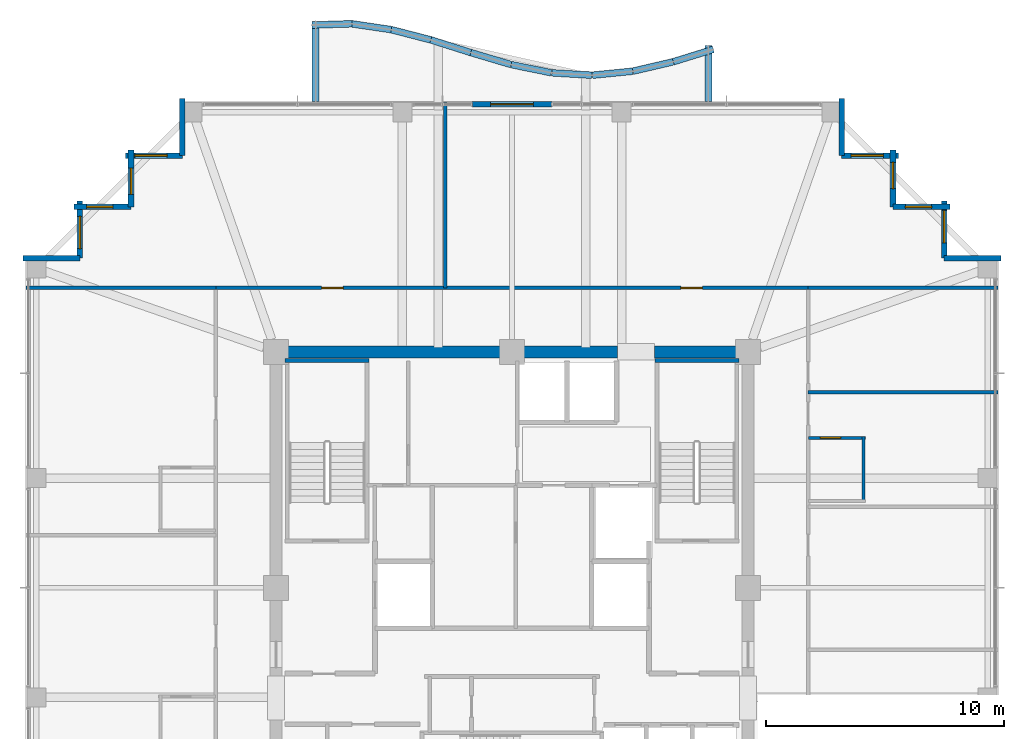
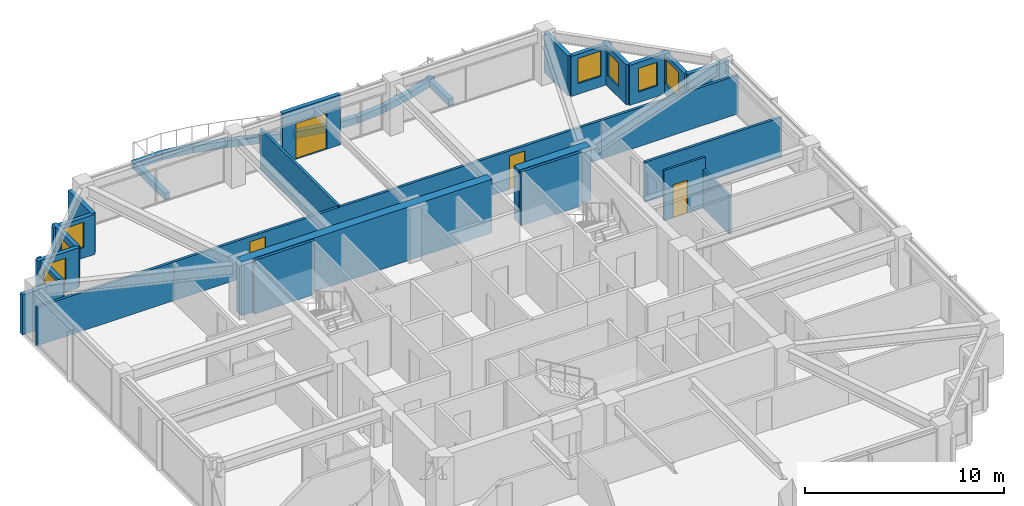
# One storey, part 33 of 36: 36 walls, 8 windows, 4 doors, 12 openings.
"""IFC4 building model written with IfcOpenShell, lengths in metres."""

from ifc_helpers import new_model, si_unit, direction, frame, frame_2d, origin, place, context, subcontext, project, spatial, rectangle, extrude, material, layer, layer_set, type_object, element, fill, save


model = new_model("IFC4")

# Units and contexts
model_context = context("Model", 3, precision=1e-05, world=origin(), true_north=direction((0.0, 1.0)))
body_context = subcontext(model_context, "Body", "Model", "MODEL_VIEW")
ifc_project = project(units=[si_unit("LENGTHUNIT", "METRE"), si_unit("AREAUNIT", "SQUARE_METRE"), si_unit("VOLUMEUNIT", "CUBIC_METRE"), si_unit("PLANEANGLEUNIT", "RADIAN"), si_unit("MASSUNIT", "GRAM", prefix="KILO")], contexts=[model_context])

# Site, building, storey
site_placement = place(None, origin())
site = spatial("IfcSite", under=ifc_project, at=site_placement, CompositionType="ELEMENT")
building_placement = place(site_placement, origin())
building = spatial("IfcBuilding", under=site, at=building_placement, Name="Kolvaren Belvedere", CompositionType="ELEMENT")
storey_placement = place(building_placement, frame((0.0, 0.0, 193.199951171875)))
storey = spatial("IfcBuildingStorey", under=building, at=storey_placement, Name="L56", CompositionType="ELEMENT", Elevation=193.199951171875)

# Walls
ifc_material_1 = material(Name="Concrete C50/60", Category="concrete")
ifc_layer_1 = layer(ifc_material_1, 0.5)
ifc_layer_set_1 = layer_set([ifc_layer_1], Name="Concrete C50/60")
wall_type_1 = type_object("IfcWallType", Name="CW-CORE-500", PredefinedType="SHEAR", material=ifc_layer_set_1)
wall_1_placement = place(storey_placement, frame((-10.14990234375, 9.89990234375, 0.0), z_axis=(0.0, 0.0, 1.0), x_axis=(1.0, 0.0, 0.0)))
element("IfcWall", 1, at=wall_1_placement, inside=storey, type_object=wall_type_1, Name="L56 North Core Shear Wall 1", PredefinedType="SHEAR", context=body_context, shape_type="SweptSolid", body=[
    extrude(rectangle(XDim=14.56982421875, YDim=0.5, at=frame_2d((7.284912109375, 0.0))), origin(), (0.0, 0.0, 1.0), 3.300048828125),
])
wall_2_placement = place(storey_placement, frame((5.97998046875, 9.89990234375, 0.0), z_axis=(0.0, 0.0, 1.0), x_axis=(1.0, 0.0, 0.0)))
element("IfcWall", 2, at=wall_2_placement, inside=storey, type_object=wall_type_1, Name="L56 North Core Shear Wall 2", PredefinedType="SHEAR", context=body_context, shape_type="SweptSolid", body=[
    extrude(rectangle(XDim=4.169921875, YDim=0.5, at=frame_2d((2.0849609375, 0.0))), origin(), (0.0, 0.0, 1.0), 3.300048828125),
])
ifc_material_2 = material(Name="Concrete C50/60", Category="concrete")
ifc_layer_2 = layer(ifc_material_2, 0.159912109375)
ifc_layer_set_2 = layer_set([ifc_layer_2], Name="Concrete C50/60")
wall_type_2 = type_object("IfcWallType", Name="CW-STAIR-160", PredefinedType="SHEAR", material=ifc_layer_set_2)
for number, where, z_axis, x_axis, name in (
    (3, (-9.52001953125, 9.530029296875, 0.0), (0.0, 0.0, 1.0), (1.0, 0.0, 0.0), "L56 Stair ST-1 North Shear Wall"),
    (4, (6.0, 9.530029296875, 0.0), (0.0, 0.0, 1.0), (1.0, 0.0, 0.0), "L56 Stair ST-2 North Shear Wall"),
):
    element("IfcWall", number, at=place(storey_placement, frame(where, z_axis=z_axis, x_axis=x_axis)), inside=storey, type_object=wall_type_2, Name=name, PredefinedType="SHEAR", context=body_context, shape_type="SweptSolid", body=[
        extrude(rectangle(XDim=3.52001953125, YDim=0.159912109375, at=frame_2d((1.760009765625, 0.0))), origin(), (0.0, 0.0, 1.0), 3.300048828125),
    ])

# Wall, openings, doors
ifc_material_3 = material(Name="Gypsum fire-rated partition assembly", Category="gypsum")
ifc_layer_3 = layer(ifc_material_3, 0.14990234375)
ifc_layer_set_3 = layer_set([ifc_layer_3], Name="Gypsum fire-rated partition assembly")
wall_type_3 = type_object("IfcWallType", Name="WL-CORR-150", PredefinedType="PARTITIONING", material=ifc_layer_set_3)
wall_3_placement = place(storey_placement, frame((-12.419921875, 12.580078125, 0.0), z_axis=(0.0, 0.0, 1.0), x_axis=(1.0, 0.0, 0.0)))
wall_3 = element("IfcWall", 5, at=wall_3_placement, inside=storey, type_object=wall_type_3, Name="L56 North Corridor Wall", PredefinedType="PARTITIONING", context=body_context, shape_type="SweptSolid", body=[
    extrude(rectangle(XDim=24.83984375, YDim=0.14990234375, at=frame_2d((12.419921875, 0.0))), origin(), (0.0, 0.0, 1.0), 2.369140625),
])
opening_1_placement = place(wall_3_placement, frame((4.43505859375, 0.0, 0.0)))
opening_1 = element("IfcOpeningElement", 6, at=opening_1_placement, cuts=wall_3, Name="Opening D-INT90", PredefinedType="OPENING", context=body_context, shape_type="SweptSolid", body=[
    extrude(rectangle(XDim=0.89990234375, YDim=2.06005859375, at=frame_2d((0.449951171875, 1.030029296875))), frame((0.0, 0.0849609375, 0.0), z_axis=(0.0, -1.0, 0.0), x_axis=(1.0, 0.0, 0.0)), (0.0, 0.0, 1.0), 0.169921875),
])
opening_2_placement = place(wall_3_placement, frame((19.5048828125, 0.0, 0.0)))
opening_2 = element("IfcOpeningElement", 7, at=opening_2_placement, cuts=wall_3, Name="Opening D-INT90", PredefinedType="OPENING", context=body_context, shape_type="SweptSolid", body=[
    extrude(rectangle(XDim=0.89990234375, YDim=2.06005859375, at=frame_2d((0.449951171875, 1.030029296875))), frame((0.0, 0.0849609375, 0.0), z_axis=(0.0, -1.0, 0.0), x_axis=(1.0, 0.0, 0.0)), (0.0, 0.0, 1.0), 0.169921875),
])
ifc_material_4 = material(Name="Stained Pacific white oak", Category="timber")
door_type_1 = type_object("IfcDoorType", Name="DR-INT-900", OperationType="NOTDEFINED", PredefinedType="DOOR", material=ifc_material_4)
door_1_placement = place(opening_1_placement, origin())
door_1 = element("IfcDoor", 8, at=door_1_placement, inside=storey, type_object=door_type_1, Name="L56 Lounge 5611 Door", OperationType="SINGLE_SWING_RIGHT", OverallHeight=2.06005859375, OverallWidth=0.89990234375, PredefinedType="DOOR", context=body_context, shape_type="SweptSolid", body=[
    extrude(rectangle(XDim=0.89990234375, YDim=2.06005859375, at=frame_2d((0.449951171875, 1.030029296875))), frame((0.0, 0.02490234375, 0.0), z_axis=(0.0, -1.0, 0.0), x_axis=(1.0, 0.0, 0.0)), (0.0, 0.0, 1.0), 0.050048828125),
])
fill(opening_1, door_1)
door_2_placement = place(opening_2_placement, origin())
door_2 = element("IfcDoor", 9, at=door_2_placement, inside=storey, type_object=door_type_1, Name="L56 Lounge 5612 Door", OperationType="SINGLE_SWING_LEFT", OverallHeight=2.06005859375, OverallWidth=0.89990234375, PredefinedType="DOOR", context=body_context, shape_type="SweptSolid", body=[
    extrude(rectangle(XDim=0.89990234375, YDim=2.06005859375, at=frame_2d((0.449951171875, 1.030029296875))), frame((0.0, 0.02490234375, 0.0), z_axis=(0.0, -1.0, 0.0), x_axis=(1.0, 0.0, 0.0)), (0.0, 0.0, 1.0), 0.050048828125),
])
fill(opening_2, door_2)

# Wall
ifc_material_5 = material(Name="Insulated pale-metal facade wall assembly", Category="aluminium")
ifc_layer_4 = layer(ifc_material_5, 0.239990234375)
ifc_layer_set_4 = layer_set([ifc_layer_4], Name="Insulated pale-metal facade wall assembly")
wall_type_4 = type_object("IfcWallType", Name="WL-EXT-240", PredefinedType="STANDARD", material=ifc_layer_set_4)
wall_4_placement = place(storey_placement, frame((18.1298828125, 13.830078125, 0.0), z_axis=(0.0, 0.0, 1.0), x_axis=(1.0, 0.0, 0.0)))
element("IfcWall", 10, at=wall_4_placement, inside=storey, type_object=wall_type_4, Name="L56 Serrated Corner Facade Wall 9", PredefinedType="STANDARD", context=body_context, shape_type="SweptSolid", body=[
    extrude(rectangle(XDim=2.39013671875, YDim=0.239990234375, at=frame_2d((1.195068359375, 0.0))), origin(), (0.0, 0.0, 1.0), 2.463134765625),
])

# Wall, opening, window
wall_5_placement = place(storey_placement, frame((18.1298828125, 16.219970703125, 0.0), z_axis=(0.0, 0.0, 1.0), x_axis=(0.0, -1.0, 0.0)))
wall_5 = element("IfcWall", 11, at=wall_5_placement, inside=storey, type_object=wall_type_4, Name="L56 Serrated Corner Facade Wall 10", PredefinedType="STANDARD", context=body_context, shape_type="SweptSolid", body=[
    extrude(rectangle(XDim=2.389892578125, YDim=0.239990234375, at=frame_2d((1.19482421875, 0.0))), origin(), (0.0, 0.0, 1.0), 2.463134765625),
])
opening_3_placement = place(wall_5_placement, frame((0.39990234375, 0.0, 0.64990234375)))
opening_3 = element("IfcOpeningElement", 12, at=opening_3_placement, cuts=wall_5, Name="Opening W-1350", PredefinedType="OPENING", context=body_context, shape_type="SweptSolid", body=[
    extrude(rectangle(XDim=1.35009765625, YDim=1.550048828125, at=frame_2d((0.675048828125, 0.77490234375))), frame((0.0, 0.1298828125, 0.0), z_axis=(0.0, -1.0, 0.0), x_axis=(1.0, 0.0, 0.0)), (0.0, 0.0, 1.0), 0.260009765625),
])
ifc_material_6 = material(Name="Low-iron triple insulated glass", Category="glass")
window_type_1 = type_object("IfcWindowType", Name="WN-CORN-1350", PartitioningType="SINGLE_PANEL", PredefinedType="WINDOW", material=ifc_material_6)
window_1_placement = place(opening_3_placement, origin())
window_1 = element("IfcWindow", 13, at=window_1_placement, inside=storey, type_object=window_type_1, Name="L56 Serrated Corner Vision Window 10", OverallHeight=1.550048828125, OverallWidth=1.35009765625, PartitioningType="SINGLE_PANEL", PredefinedType="WINDOW", context=body_context, shape_type="SweptSolid", body=[
    extrude(rectangle(XDim=1.35009765625, YDim=1.550048828125, at=frame_2d((0.675048828125, 0.77490234375))), frame((0.0, 0.030029296875, 0.0), z_axis=(0.0, -1.0, 0.0), x_axis=(1.0, 0.0, 0.0)), (0.0, 0.0, 1.0), 0.06005859375),
])
fill(opening_3, window_1)

wall_6_placement = place(storey_placement, frame((15.97998046875, 15.97998046875, 0.0), z_axis=(0.0, 0.0, 1.0), x_axis=(1.0, 0.0, 0.0)))
wall_6 = element("IfcWall", 14, at=wall_6_placement, inside=storey, type_object=wall_type_4, Name="L56 Serrated Corner Facade Wall 11", PredefinedType="STANDARD", context=body_context, shape_type="SweptSolid", body=[
    extrude(rectangle(XDim=2.39013671875, YDim=0.239990234375, at=frame_2d((1.195068359375, 0.0))), origin(), (0.0, 0.0, 1.0), 2.463134765625),
])
opening_4_placement = place(wall_6_placement, frame((0.52490234375, 0.0, 0.64990234375)))
opening_4 = element("IfcOpeningElement", 15, at=opening_4_placement, cuts=wall_6, Name="Opening W-1100", PredefinedType="OPENING", context=body_context, shape_type="SweptSolid", body=[
    extrude(rectangle(XDim=1.10009765625, YDim=1.449951171875, at=frame_2d((0.550048828125, 0.72509765625))), frame((0.0, 0.1298828125, 0.0), z_axis=(0.0, -1.0, 0.0), x_axis=(1.0, 0.0, 0.0)), (0.0, 0.0, 1.0), 0.260009765625),
])
ifc_material_7 = material(Name="Low-iron triple insulated glass", Category="glass")
window_type_2 = type_object("IfcWindowType", Name="WN-CORN-1100", PartitioningType="SINGLE_PANEL", PredefinedType="WINDOW", material=ifc_material_7)
window_2_placement = place(opening_4_placement, origin())
window_2 = element("IfcWindow", 16, at=window_2_placement, inside=storey, type_object=window_type_2, Name="L56 Serrated Corner Vision Window 11", OverallHeight=1.449951171875, OverallWidth=1.10009765625, PartitioningType="SINGLE_PANEL", PredefinedType="WINDOW", context=body_context, shape_type="SweptSolid", body=[
    extrude(rectangle(XDim=1.10009765625, YDim=1.449951171875, at=frame_2d((0.550048828125, 0.72509765625))), frame((0.0, 0.030029296875, 0.0), z_axis=(0.0, -1.0, 0.0), x_axis=(1.0, 0.0, 0.0)), (0.0, 0.0, 1.0), 0.06005859375),
])
fill(opening_4, window_2)

wall_7_placement = place(storey_placement, frame((15.97998046875, 18.3701171875, 0.0), z_axis=(0.0, 0.0, 1.0), x_axis=(0.0, -1.0, 0.0)))
wall_7 = element("IfcWall", 17, at=wall_7_placement, inside=storey, type_object=wall_type_4, Name="L56 Serrated Corner Facade Wall 12", PredefinedType="STANDARD", context=body_context, shape_type="SweptSolid", body=[
    extrude(rectangle(XDim=2.39013671875, YDim=0.239990234375, at=frame_2d((1.195068359375, 0.0))), origin(), (0.0, 0.0, 1.0), 2.463134765625),
])
opening_5_placement = place(wall_7_placement, frame((0.52490234375, 0.0, 0.64990234375)))
opening_5 = element("IfcOpeningElement", 18, at=opening_5_placement, cuts=wall_7, Name="Opening W-1100", PredefinedType="OPENING", context=body_context, shape_type="SweptSolid", body=[
    extrude(rectangle(XDim=1.10009765625, YDim=1.449951171875, at=frame_2d((0.550048828125, 0.72509765625))), frame((0.0, 0.1298828125, 0.0), z_axis=(0.0, -1.0, 0.0), x_axis=(1.0, 0.0, 0.0)), (0.0, 0.0, 1.0), 0.260009765625),
])
window_3_placement = place(opening_5_placement, origin())
window_3 = element("IfcWindow", 19, at=window_3_placement, inside=storey, type_object=window_type_2, Name="L56 Serrated Corner Vision Window 12", OverallHeight=1.449951171875, OverallWidth=1.10009765625, PartitioningType="SINGLE_PANEL", PredefinedType="WINDOW", context=body_context, shape_type="SweptSolid", body=[
    extrude(rectangle(XDim=1.10009765625, YDim=1.449951171875, at=frame_2d((0.550048828125, 0.72509765625))), frame((0.0, 0.030029296875, 0.0), z_axis=(0.0, -1.0, 0.0), x_axis=(1.0, 0.0, 0.0)), (0.0, 0.0, 1.0), 0.06005859375),
])
fill(opening_5, window_3)

wall_8_placement = place(storey_placement, frame((13.830078125, 18.1298828125, 0.0), z_axis=(0.0, 0.0, 1.0), x_axis=(1.0, 0.0, 0.0)))
wall_8 = element("IfcWall", 20, at=wall_8_placement, inside=storey, type_object=wall_type_4, Name="L56 Serrated Corner Facade Wall 13", PredefinedType="STANDARD", context=body_context, shape_type="SweptSolid", body=[
    extrude(rectangle(XDim=2.389892578125, YDim=0.239990234375, at=frame_2d((1.19482421875, 0.0))), origin(), (0.0, 0.0, 1.0), 2.463134765625),
])
opening_6_placement = place(wall_8_placement, frame((0.39990234375, 0.0, 0.64990234375)))
opening_6 = element("IfcOpeningElement", 21, at=opening_6_placement, cuts=wall_8, Name="Opening W-1350", PredefinedType="OPENING", context=body_context, shape_type="SweptSolid", body=[
    extrude(rectangle(XDim=1.35009765625, YDim=1.550048828125, at=frame_2d((0.675048828125, 0.77490234375))), frame((0.0, 0.1298828125, 0.0), z_axis=(0.0, -1.0, 0.0), x_axis=(1.0, 0.0, 0.0)), (0.0, 0.0, 1.0), 0.260009765625),
])
window_4_placement = place(opening_6_placement, origin())
window_4 = element("IfcWindow", 22, at=window_4_placement, inside=storey, type_object=window_type_1, Name="L56 Serrated Corner Vision Window 13", OverallHeight=1.550048828125, OverallWidth=1.35009765625, PartitioningType="SINGLE_PANEL", PredefinedType="WINDOW", context=body_context, shape_type="SweptSolid", body=[
    extrude(rectangle(XDim=1.35009765625, YDim=1.550048828125, at=frame_2d((0.675048828125, 0.77490234375))), frame((0.0, 0.030029296875, 0.0), z_axis=(0.0, -1.0, 0.0), x_axis=(1.0, 0.0, 0.0)), (0.0, 0.0, 1.0), 0.06005859375),
])
fill(opening_6, window_4)

# Wall
wall_9_placement = place(storey_placement, frame((13.830078125, 20.52001953125, 0.0), z_axis=(0.0, 0.0, 1.0), x_axis=(0.0, -1.0, 0.0)))
element("IfcWall", 23, at=wall_9_placement, inside=storey, type_object=wall_type_4, Name="L56 Serrated Corner Facade Wall 14", PredefinedType="STANDARD", context=body_context, shape_type="SweptSolid", body=[
    extrude(rectangle(XDim=2.39013671875, YDim=0.239990234375, at=frame_2d((1.195068359375, 0.0))), origin(), (0.0, 0.0, 1.0), 2.463134765625),
])

# Wall, opening, door
wall_10_placement = place(storey_placement, frame((-1.679931640625, 20.280029296875, 0.0), z_axis=(0.0, 0.0, 1.0), x_axis=(1.0, 0.0, 0.0)))
wall_10 = element("IfcWall", 24, at=wall_10_placement, inside=storey, type_object=wall_type_4, Name="L56 North Terrace Portal Wall", PredefinedType="STANDARD", context=body_context, shape_type="SweptSolid", body=[
    extrude(rectangle(XDim=3.35986328125, YDim=0.239990234375, at=frame_2d((1.679931640625, 0.0))), origin(), (0.0, 0.0, 1.0), 3.080078125),
])
opening_7_placement = place(wall_10_placement, frame((0.780029296875, 0.0, 0.0)))
opening_7 = element("IfcOpeningElement", 25, at=opening_7_placement, cuts=wall_10, Name="Opening DB-1800", PredefinedType="OPENING", context=body_context, shape_type="SweptSolid", body=[
    extrude(rectangle(XDim=1.800048828125, YDim=2.199951171875, at=frame_2d((0.89990234375, 1.10009765625))), frame((0.0, 0.1298828125, 0.0), z_axis=(0.0, -1.0, 0.0), x_axis=(1.0, 0.0, 0.0)), (0.0, 0.0, 1.0), 0.260009765625),
])
ifc_material_8 = material(Name="Thermally broken pale-metal aluminium & low-iron glass", Category="aluminium")
door_type_2 = type_object("IfcDoorType", Name="DR-BAL-1800", OperationType="DOUBLE_DOOR_SLIDING", PredefinedType="DOOR", material=ifc_material_8)
door_3_placement = place(opening_7_placement, origin())
door_3 = element("IfcDoor", 26, at=door_3_placement, inside=storey, type_object=door_type_2, Name="L56 North Planted Terrace Sliding Door", OperationType="DOUBLE_DOOR_SLIDING", OverallHeight=2.199951171875, OverallWidth=1.800048828125, PredefinedType="DOOR", context=body_context, shape_type="SweptSolid", body=[
    extrude(rectangle(XDim=1.800048828125, YDim=2.199951171875, at=frame_2d((0.89990234375, 1.10009765625))), frame((0.0, 0.02490234375, 0.0), z_axis=(0.0, -1.0, 0.0), x_axis=(1.0, 0.0, 0.0)), (0.0, 0.0, 1.0), 0.050048828125),
])
fill(opening_7, door_3)

# Wall
wall_11_placement = place(storey_placement, frame((-13.830078125, 18.1298828125, 0.0), z_axis=(0.0, 0.0, 1.0), x_axis=(0.0, 1.0, 0.0)))
element("IfcWall", 27, at=wall_11_placement, inside=storey, type_object=wall_type_4, Name="L56 Serrated Corner Facade Wall 16", PredefinedType="STANDARD", context=body_context, shape_type="SweptSolid", body=[
    extrude(rectangle(XDim=2.39013671875, YDim=0.239990234375, at=frame_2d((1.195068359375, 0.0))), origin(), (0.0, 0.0, 1.0), 2.463134765625),
])

# Wall, opening, window
wall_12_placement = place(storey_placement, frame((-16.219970703125, 18.1298828125, 0.0), z_axis=(0.0, 0.0, 1.0), x_axis=(1.0, 0.0, 0.0)))
wall_12 = element("IfcWall", 28, at=wall_12_placement, inside=storey, type_object=wall_type_4, Name="L56 Serrated Corner Facade Wall 17", PredefinedType="STANDARD", context=body_context, shape_type="SweptSolid", body=[
    extrude(rectangle(XDim=2.389892578125, YDim=0.239990234375, at=frame_2d((1.19482421875, 0.0))), origin(), (0.0, 0.0, 1.0), 2.463134765625),
])
opening_8_placement = place(wall_12_placement, frame((0.39990234375, 0.0, 0.64990234375)))
opening_8 = element("IfcOpeningElement", 29, at=opening_8_placement, cuts=wall_12, Name="Opening W-1350", PredefinedType="OPENING", context=body_context, shape_type="SweptSolid", body=[
    extrude(rectangle(XDim=1.35009765625, YDim=1.550048828125, at=frame_2d((0.675048828125, 0.77490234375))), frame((0.0, 0.1298828125, 0.0), z_axis=(0.0, -1.0, 0.0), x_axis=(1.0, 0.0, 0.0)), (0.0, 0.0, 1.0), 0.260009765625),
])
window_5_placement = place(opening_8_placement, origin())
window_5 = element("IfcWindow", 30, at=window_5_placement, inside=storey, type_object=window_type_1, Name="L56 Serrated Corner Vision Window 17", OverallHeight=1.550048828125, OverallWidth=1.35009765625, PartitioningType="SINGLE_PANEL", PredefinedType="WINDOW", context=body_context, shape_type="SweptSolid", body=[
    extrude(rectangle(XDim=1.35009765625, YDim=1.550048828125, at=frame_2d((0.675048828125, 0.77490234375))), frame((0.0, 0.030029296875, 0.0), z_axis=(0.0, -1.0, 0.0), x_axis=(1.0, 0.0, 0.0)), (0.0, 0.0, 1.0), 0.06005859375),
])
fill(opening_8, window_5)

wall_13_placement = place(storey_placement, frame((-15.97998046875, 15.97998046875, 0.0), z_axis=(0.0, 0.0, 1.0), x_axis=(0.0, 1.0, 0.0)))
wall_13 = element("IfcWall", 31, at=wall_13_placement, inside=storey, type_object=wall_type_4, Name="L56 Serrated Corner Facade Wall 18", PredefinedType="STANDARD", context=body_context, shape_type="SweptSolid", body=[
    extrude(rectangle(XDim=2.39013671875, YDim=0.239990234375, at=frame_2d((1.195068359375, 0.0))), origin(), (0.0, 0.0, 1.0), 2.463134765625),
])
opening_9_placement = place(wall_13_placement, frame((0.52490234375, 0.0, 0.64990234375)))
opening_9 = element("IfcOpeningElement", 32, at=opening_9_placement, cuts=wall_13, Name="Opening W-1100", PredefinedType="OPENING", context=body_context, shape_type="SweptSolid", body=[
    extrude(rectangle(XDim=1.10009765625, YDim=1.449951171875, at=frame_2d((0.550048828125, 0.72509765625))), frame((0.0, 0.1298828125, 0.0), z_axis=(0.0, -1.0, 0.0), x_axis=(1.0, 0.0, 0.0)), (0.0, 0.0, 1.0), 0.260009765625),
])
window_6_placement = place(opening_9_placement, origin())
window_6 = element("IfcWindow", 33, at=window_6_placement, inside=storey, type_object=window_type_2, Name="L56 Serrated Corner Vision Window 18", OverallHeight=1.449951171875, OverallWidth=1.10009765625, PartitioningType="SINGLE_PANEL", PredefinedType="WINDOW", context=body_context, shape_type="SweptSolid", body=[
    extrude(rectangle(XDim=1.10009765625, YDim=1.449951171875, at=frame_2d((0.550048828125, 0.72509765625))), frame((0.0, 0.030029296875, 0.0), z_axis=(0.0, -1.0, 0.0), x_axis=(1.0, 0.0, 0.0)), (0.0, 0.0, 1.0), 0.06005859375),
])
fill(opening_9, window_6)

wall_14_placement = place(storey_placement, frame((-18.3701171875, 15.97998046875, 0.0), z_axis=(0.0, 0.0, 1.0), x_axis=(1.0, 0.0, 0.0)))
wall_14 = element("IfcWall", 34, at=wall_14_placement, inside=storey, type_object=wall_type_4, Name="L56 Serrated Corner Facade Wall 19", PredefinedType="STANDARD", context=body_context, shape_type="SweptSolid", body=[
    extrude(rectangle(XDim=2.39013671875, YDim=0.239990234375, at=frame_2d((1.195068359375, 0.0))), origin(), (0.0, 0.0, 1.0), 2.463134765625),
])
opening_10_placement = place(wall_14_placement, frame((0.52490234375, 0.0, 0.64990234375)))
opening_10 = element("IfcOpeningElement", 35, at=opening_10_placement, cuts=wall_14, Name="Opening W-1100", PredefinedType="OPENING", context=body_context, shape_type="SweptSolid", body=[
    extrude(rectangle(XDim=1.10009765625, YDim=1.449951171875, at=frame_2d((0.550048828125, 0.72509765625))), frame((0.0, 0.1298828125, 0.0), z_axis=(0.0, -1.0, 0.0), x_axis=(1.0, 0.0, 0.0)), (0.0, 0.0, 1.0), 0.260009765625),
])
window_7_placement = place(opening_10_placement, origin())
window_7 = element("IfcWindow", 36, at=window_7_placement, inside=storey, type_object=window_type_2, Name="L56 Serrated Corner Vision Window 19", OverallHeight=1.449951171875, OverallWidth=1.10009765625, PartitioningType="SINGLE_PANEL", PredefinedType="WINDOW", context=body_context, shape_type="SweptSolid", body=[
    extrude(rectangle(XDim=1.10009765625, YDim=1.449951171875, at=frame_2d((0.550048828125, 0.72509765625))), frame((0.0, 0.030029296875, 0.0), z_axis=(0.0, -1.0, 0.0), x_axis=(1.0, 0.0, 0.0)), (0.0, 0.0, 1.0), 0.06005859375),
])
fill(opening_10, window_7)

wall_15_placement = place(storey_placement, frame((-18.1298828125, 13.830078125, 0.0), z_axis=(0.0, 0.0, 1.0), x_axis=(0.0, 1.0, 0.0)))
wall_15 = element("IfcWall", 37, at=wall_15_placement, inside=storey, type_object=wall_type_4, Name="L56 Serrated Corner Facade Wall 20", PredefinedType="STANDARD", context=body_context, shape_type="SweptSolid", body=[
    extrude(rectangle(XDim=2.389892578125, YDim=0.239990234375, at=frame_2d((1.19482421875, 0.0))), origin(), (0.0, 0.0, 1.0), 2.463134765625),
])
opening_11_placement = place(wall_15_placement, frame((0.39990234375, 0.0, 0.64990234375)))
opening_11 = element("IfcOpeningElement", 38, at=opening_11_placement, cuts=wall_15, Name="Opening W-1350", PredefinedType="OPENING", context=body_context, shape_type="SweptSolid", body=[
    extrude(rectangle(XDim=1.35009765625, YDim=1.550048828125, at=frame_2d((0.675048828125, 0.77490234375))), frame((0.0, 0.1298828125, 0.0), z_axis=(0.0, -1.0, 0.0), x_axis=(1.0, 0.0, 0.0)), (0.0, 0.0, 1.0), 0.260009765625),
])
window_8_placement = place(opening_11_placement, origin())
window_8 = element("IfcWindow", 39, at=window_8_placement, inside=storey, type_object=window_type_1, Name="L56 Serrated Corner Vision Window 20", OverallHeight=1.550048828125, OverallWidth=1.35009765625, PartitioningType="SINGLE_PANEL", PredefinedType="WINDOW", context=body_context, shape_type="SweptSolid", body=[
    extrude(rectangle(XDim=1.35009765625, YDim=1.550048828125, at=frame_2d((0.675048828125, 0.77490234375))), frame((0.0, 0.030029296875, 0.0), z_axis=(0.0, -1.0, 0.0), x_axis=(1.0, 0.0, 0.0)), (0.0, 0.0, 1.0), 0.06005859375),
])
fill(opening_11, window_8)

# Walls
wall_16_placement = place(storey_placement, frame((-20.52001953125, 13.830078125, 0.0), z_axis=(0.0, 0.0, 1.0), x_axis=(1.0, 0.0, 0.0)))
element("IfcWall", 40, at=wall_16_placement, inside=storey, type_object=wall_type_4, Name="L56 Serrated Corner Facade Wall 21", PredefinedType="STANDARD", context=body_context, shape_type="SweptSolid", body=[
    extrude(rectangle(XDim=2.39013671875, YDim=0.239990234375, at=frame_2d((1.195068359375, 0.0))), origin(), (0.0, 0.0, 1.0), 2.463134765625),
])
ifc_material_9 = material(Name="Gypsum acoustic partition assembly", Category="gypsum")
ifc_layer_5 = layer(ifc_material_9, 0.14990234375)
ifc_layer_set_5 = layer_set([ifc_layer_5], Name="Gypsum acoustic partition assembly")
wall_type_5 = type_object("IfcWallType", Name="WL-PART-150", PredefinedType="PARTITIONING", material=ifc_layer_set_5)
for number, where, z_axis, x_axis, name in (
    (41, (-20.3798828125, 12.580078125, 0.0), (0.0, 0.0, 1.0), (1.0, 0.0, 0.0), "L56 Wing Divider PW-L56-QNW"),
    (42, (12.419921875, 12.580078125, 0.0), (0.0, 0.0, 1.0), (1.0, 0.0, 0.0), "L56 Wing Divider PW-L56-QNE"),
):
    element("IfcWall", number, at=place(storey_placement, frame(where, z_axis=z_axis, x_axis=x_axis)), inside=storey, type_object=wall_type_5, Name=name, PredefinedType="PARTITIONING", context=body_context, shape_type="SweptSolid", body=[
        extrude(rectangle(XDim=7.9599609375, YDim=0.14990234375, at=frame_2d((3.97998046875, 0.0))), origin(), (0.0, 0.0, 1.0), 2.369140625),
    ])
wall_17_placement = place(storey_placement, frame((12.419921875, 8.199951171875, 0.0), z_axis=(0.0, 0.0, 1.0), x_axis=(1.0, 0.0, 0.0)))
element("IfcWall", 43, at=wall_17_placement, inside=storey, type_object=wall_type_5, Name="L56 East Suite Demising Wall 4", PredefinedType="PARTITIONING", context=body_context, shape_type="SweptSolid", body=[
    extrude(rectangle(XDim=7.9599609375, YDim=0.14990234375, at=frame_2d((3.97998046875, 0.0))), origin(), (0.0, 0.0, 1.0), 2.453125),
])
wall_18_placement = place(storey_placement, frame((-2.800048828125, 12.580078125, 0.0), z_axis=(0.0, 0.0, 1.0), x_axis=(0.0, 1.0, 0.0)))
element("IfcWall", 44, at=wall_18_placement, inside=storey, type_object=wall_type_5, Name="L56 North Suite Demising Wall 1", PredefinedType="PARTITIONING", context=body_context, shape_type="SweptSolid", body=[
    extrude(rectangle(XDim=7.7998046875, YDim=0.14990234375, at=frame_2d((3.89990234375, 0.0))), origin(), (0.0, 0.0, 1.0), 2.453125),
])
ifc_material_10 = material(Name="Precast concrete C40/50", Category="concrete")
ifc_layer_6 = layer(ifc_material_10, 0.300048828125)
ifc_layer_set_6 = layer_set([ifc_layer_6], Name="Precast concrete C40/50")
wall_type_6 = type_object("IfcWallType", Name="WL-PLANTER-300", PredefinedType="PARAPET", material=ifc_layer_set_6)
wall_19_placement = place(storey_placement, frame((8.239990234375, 20.39990234375, -0.0400390625), z_axis=(0.0, 0.0, 1.0), x_axis=(0.0, 1.0, 0.0)))
element("IfcWall", 45, at=wall_19_placement, inside=storey, type_object=wall_type_6, Name="L56 Precast Structural Planter Wall BAL-N-11", PredefinedType="PARAPET", context=body_context, shape_type="SweptSolid", body=[
    extrude(rectangle(XDim=2.340087890625, YDim=0.280029296875, at=frame_2d((1.169921875, 0.0))), origin(), (0.0, 0.0, 1.0), 0.420166015625),
])
wall_20_placement = place(storey_placement, frame((8.447265625, 22.587158203125, -0.0400390625), z_axis=(0.0, 0.0, 1.0), x_axis=(-0.95524013163, -0.295831524561, 0.0)))
element("IfcWall", 46, at=wall_20_placement, inside=storey, type_object=wall_type_6, Name="L56 Precast Structural Planter Wall BAL-N-12", PredefinedType="PARAPET", context=body_context, shape_type="SweptSolid", body=[
    extrude(rectangle(XDim=1.758544921875, YDim=0.280029296875, at=frame_2d((0.87939453125, 0.0))), origin(), (0.0, 0.0, 1.0), 0.420166015625),
])
wall_21_placement = place(storey_placement, frame((6.75634765625, 22.06396484375, -0.0400390625), z_axis=(0.0, 0.0, 1.0), x_axis=(-0.973890253884, -0.227019323824, 0.0)))
element("IfcWall", 47, at=wall_21_placement, inside=storey, type_object=wall_type_6, Name="L56 Precast Structural Planter Wall BAL-N-13", PredefinedType="PARAPET", context=body_context, shape_type="SweptSolid", body=[
    extrude(rectangle(XDim=1.724853515625, YDim=0.280029296875, at=frame_2d((0.8623046875, 0.0))), origin(), (0.0, 0.0, 1.0), 0.420166015625),
])
wall_22_placement = place(storey_placement, frame((5.0556640625, 21.6689453125, -0.0400390625), z_axis=(0.0, 0.0, 1.0), x_axis=(-0.995152499202, -0.098343801694, 0.0)))
element("IfcWall", 48, at=wall_22_placement, inside=storey, type_object=wall_type_6, Name="L56 Precast Structural Planter Wall BAL-N-14", PredefinedType="PARAPET", context=body_context, shape_type="SweptSolid", body=[
    extrude(rectangle(XDim=1.688232421875, YDim=0.280029296875, at=frame_2d((0.84423828125, 0.0))), origin(), (0.0, 0.0, 1.0), 0.420166015625),
])
wall_23_placement = place(storey_placement, frame((3.350341796875, 21.50244140625, -0.0400390625), z_axis=(0.0, 0.0, 1.0), x_axis=(-0.998212296378, 0.059767979379, 0.0)))
element("IfcWall", 49, at=wall_23_placement, inside=storey, type_object=wall_type_6, Name="L56 Precast Structural Planter Wall BAL-N-15", PredefinedType="PARAPET", context=body_context, shape_type="SweptSolid", body=[
    extrude(rectangle(XDim=1.682861328125, YDim=0.280029296875, at=frame_2d((0.84130859375, 0.0))), origin(), (0.0, 0.0, 1.0), 0.420166015625),
])
wall_24_placement = place(storey_placement, frame((1.64794921875, 21.60595703125, -0.0400390625), z_axis=(0.0, 0.0, 1.0), x_axis=(-0.979839912937, 0.199784246163, 0.0)))
element("IfcWall", 50, at=wall_24_placement, inside=storey, type_object=wall_type_6, Name="L56 Precast Structural Planter Wall BAL-N-16", PredefinedType="PARAPET", context=body_context, shape_type="SweptSolid", body=[
    extrude(rectangle(XDim=1.714599609375, YDim=0.280029296875, at=frame_2d((0.857421875, 0.0))), origin(), (0.0, 0.0, 1.0), 0.420166015625),
])
wall_25_placement = place(storey_placement, frame((-0.045654296875, 21.951904296875, -0.0400390625), z_axis=(0.0, 0.0, 1.0), x_axis=(-0.95856309129, 0.284880325779, 0.0)))
element("IfcWall", 51, at=wall_25_placement, inside=storey, type_object=wall_type_6, Name="L56 Precast Structural Planter Wall BAL-N-17", PredefinedType="PARAPET", context=body_context, shape_type="SweptSolid", body=[
    extrude(rectangle(XDim=1.75244140625, YDim=0.280029296875, at=frame_2d((0.876220703125, 0.0))), origin(), (0.0, 0.0, 1.0), 0.420166015625),
])
wall_26_placement = place(storey_placement, frame((-1.728515625, 22.4521484375, -0.0400390625), z_axis=(0.0, 0.0, 1.0), x_axis=(-0.953181954832, 0.302397356111, 0.0)))
element("IfcWall", 52, at=wall_26_placement, inside=storey, type_object=wall_type_6, Name="L56 Precast Structural Planter Wall BAL-N-18", PredefinedType="PARAPET", context=body_context, shape_type="SweptSolid", body=[
    extrude(rectangle(XDim=1.762451171875, YDim=0.280029296875, at=frame_2d((0.88134765625, 0.0))), origin(), (0.0, 0.0, 1.0), 0.420166015625),
])
wall_27_placement = place(storey_placement, frame((-3.400146484375, 22.982666015625, -0.0400390625), z_axis=(0.0, 0.0, 1.0), x_axis=(-0.968132209145, 0.250439664624, 0.0)))
element("IfcWall", 53, at=wall_27_placement, inside=storey, type_object=wall_type_6, Name="L56 Precast Structural Planter Wall BAL-N-19", PredefinedType="PARAPET", context=body_context, shape_type="SweptSolid", body=[
    extrude(rectangle(XDim=1.7353515625, YDim=0.280029296875, at=frame_2d((0.86767578125, 0.0))), origin(), (0.0, 0.0, 1.0), 0.420166015625),
])
wall_28_placement = place(storey_placement, frame((-5.063232421875, 23.413818359375, -0.0400390625), z_axis=(0.0, 0.0, 1.0), x_axis=(-0.98929818871, 0.145907826437, 0.0)))
element("IfcWall", 54, at=wall_28_placement, inside=storey, type_object=wall_type_6, Name="L56 Precast Structural Planter Wall BAL-N-20", PredefinedType="PARAPET", context=body_context, shape_type="SweptSolid", body=[
    extrude(rectangle(XDim=1.6982421875, YDim=0.280029296875, at=frame_2d((0.84912109375, 0.0))), origin(), (0.0, 0.0, 1.0), 0.420166015625),
])
wall_29_placement = place(storey_placement, frame((-6.715087890625, 23.66015625, -0.0400390625), z_axis=(0.0, 0.0, 1.0), x_axis=(-0.999503107358, -0.031520443874, 0.0)))
element("IfcWall", 55, at=wall_29_placement, inside=storey, type_object=wall_type_6, Name="L56 Precast Structural Planter Wall BAL-N-21", PredefinedType="PARAPET", context=body_context, shape_type="SweptSolid", body=[
    extrude(rectangle(XDim=1.6806640625, YDim=0.280029296875, at=frame_2d((0.84033203125, 0.0))), origin(), (0.0, 0.0, 1.0), 0.420166015625),
])
wall_30_placement = place(storey_placement, frame((-8.239990234375, 23.76708984375, -0.0400390625), z_axis=(0.0, 0.0, 1.0), x_axis=(0.0, -1.0, 0.0)))
element("IfcWall", 56, at=wall_30_placement, inside=storey, type_object=wall_type_6, Name="L56 Precast Structural Planter Wall BAL-N-22", PredefinedType="PARAPET", context=body_context, shape_type="SweptSolid", body=[
    extrude(rectangle(XDim=3.3671875, YDim=0.280029296875, at=frame_2d((1.68359375, 0.0))), origin(), (0.0, 0.0, 1.0), 0.420166015625),
])

# Wall, opening, door
ifc_material_11 = material(Name="Moisture-resistant gypsum partition", Category="gypsum")
ifc_layer_7 = layer(ifc_material_11, 0.125)
ifc_layer_set_7 = layer_set([ifc_layer_7], Name="Moisture-resistant gypsum partition")
wall_type_7 = type_object("IfcWallType", Name="WL-WET-125", PredefinedType="PARTITIONING", material=ifc_layer_set_7)
wall_31_placement = place(storey_placement, frame((12.43505859375, 6.2939453125, 0.0), z_axis=(0.0, 0.0, 1.0), x_axis=(1.0, 0.0, 0.0)))
wall_31 = element("IfcWall", 57, at=wall_31_placement, inside=storey, type_object=wall_type_7, Name="L56 Bathroom Partition PW-L56-BTH-6-N", PredefinedType="PARTITIONING", context=body_context, shape_type="SweptSolid", body=[
    extrude(rectangle(XDim=2.389892578125, YDim=0.125, at=frame_2d((1.19482421875, 0.0))), origin(), (0.0, 0.0, 1.0), 3.080078125),
])
opening_12_placement = place(wall_31_placement, frame((0.5, 0.0, 0.0)))
opening_12 = element("IfcOpeningElement", 58, at=opening_12_placement, cuts=wall_31, Name="Opening D-BTH85", PredefinedType="OPENING", context=body_context, shape_type="SweptSolid", body=[
    extrude(rectangle(XDim=0.85009765625, YDim=2.030029296875, at=frame_2d((0.425048828125, 1.01513671875))), frame((0.0, 0.072509765625, 0.0), z_axis=(0.0, -1.0, 0.0), x_axis=(1.0, 0.0, 0.0)), (0.0, 0.0, 1.0), 0.14501953125),
])
ifc_material_12 = material(Name="Moisture-sealed Pacific white oak", Category="timber")
door_type_3 = type_object("IfcDoorType", Name="DR-BATH-850", OperationType="NOTDEFINED", PredefinedType="DOOR", material=ifc_material_12)
door_4_placement = place(opening_12_placement, origin())
door_4 = element("IfcDoor", 59, at=door_4_placement, inside=storey, type_object=door_type_3, Name="L56 En-Suite Bathroom 5606 Door", OperationType="SINGLE_SWING_LEFT", OverallHeight=2.030029296875, OverallWidth=0.85009765625, PredefinedType="DOOR", context=body_context, shape_type="SweptSolid", body=[
    extrude(rectangle(XDim=0.85009765625, YDim=2.030029296875, at=frame_2d((0.425048828125, 1.01513671875))), frame((0.0, 0.02490234375, 0.0), z_axis=(0.0, -1.0, 0.0), x_axis=(1.0, 0.0, 0.0)), (0.0, 0.0, 1.0), 0.050048828125),
])
fill(opening_12, door_4)

# Wall
wall_32_placement = place(storey_placement, frame((14.7451171875, 3.583984375, 0.0), z_axis=(0.0, 0.0, 1.0), x_axis=(0.0, 1.0, 0.0)))
element("IfcWall", 60, at=wall_32_placement, inside=storey, type_object=wall_type_7, Name="L56 Bathroom Partition PW-L56-BTH-6-V", PredefinedType="PARTITIONING", context=body_context, shape_type="SweptSolid", body=[
    extrude(rectangle(XDim=2.77001953125, YDim=0.125, at=frame_2d((1.385009765625, 0.0))), origin(), (0.0, 0.0, 1.0), 2.369140625),
])

save(model, "model.ifc")
